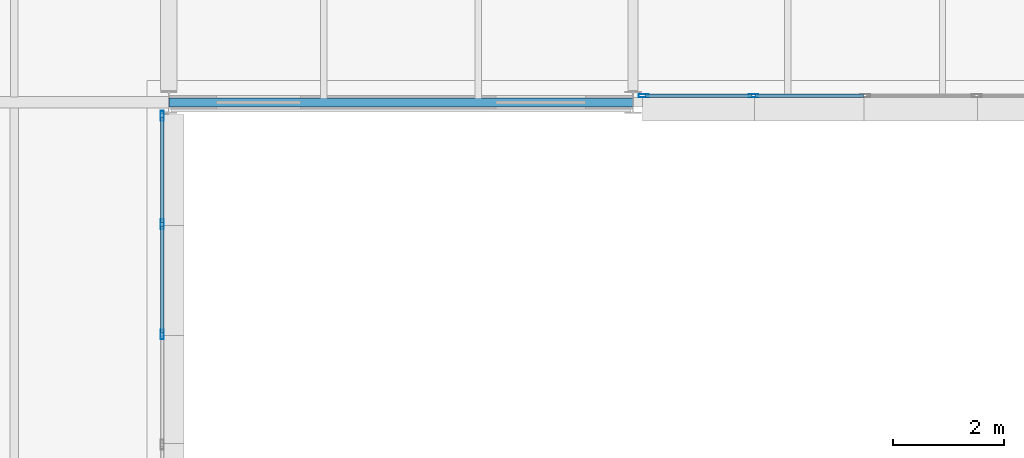
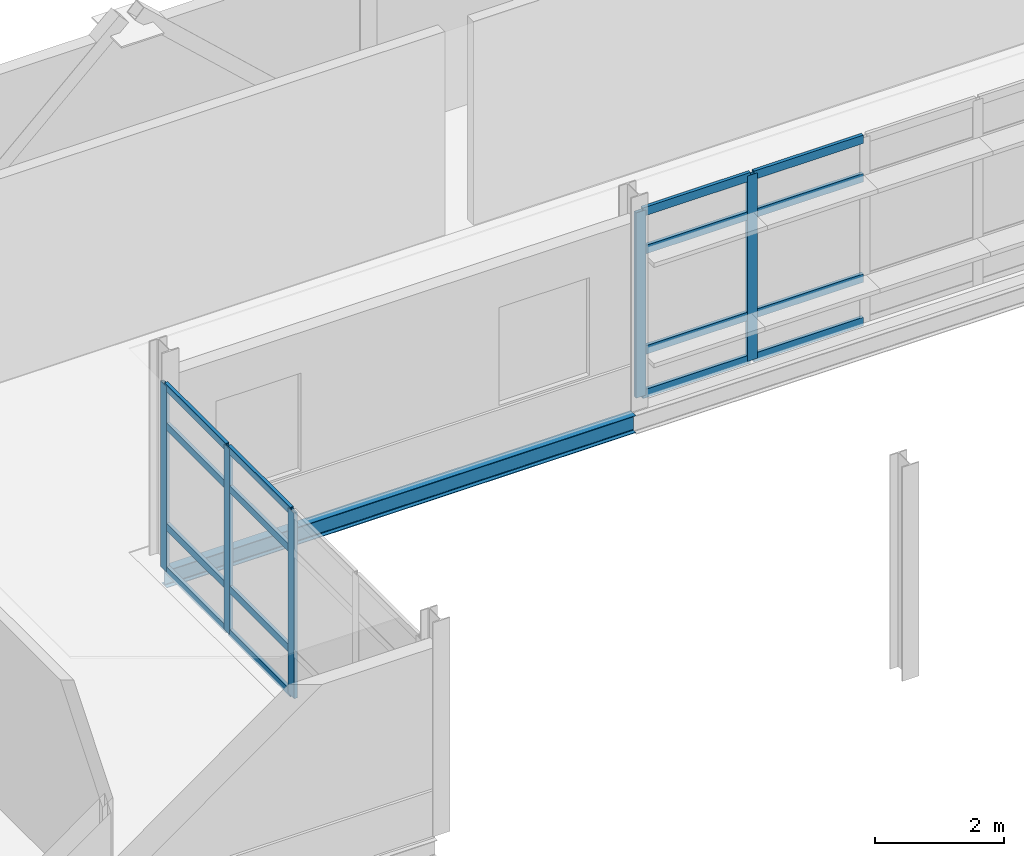
# One storey, part 26 of 103: 21 members, 1 beam, 2 elements without a shape of their own.
"""IFC4 building model written with IfcOpenShell, lengths in metres."""

from ifc_helpers import new_model, si_unit, direction, frame, origin, origin_2d, place, context, subcontext, project, spatial, hollow_rectangle, i_section, extrude, material, material_profile, profile_set, type_object, element, aggregate, save


model = new_model("IFC4")

# Units and contexts
model_context = context("Model", 3, precision=1e-05, world=origin(), true_north=direction((0.0, 1.0)))
body_context = subcontext(model_context, "Body", "Model", "MODEL_VIEW")
ifc_project = project(units=[si_unit("LENGTHUNIT", "METRE"), si_unit("AREAUNIT", "SQUARE_METRE"), si_unit("VOLUMEUNIT", "CUBIC_METRE"), si_unit("PLANEANGLEUNIT", "RADIAN"), si_unit("MASSUNIT", "GRAM", prefix="KILO")], contexts=[model_context])

# Site, building, storey
site_placement = place(None, origin())
site = spatial("IfcSite", under=ifc_project, at=site_placement, CompositionType="ELEMENT")
building_placement = place(site_placement, origin())
building = spatial("IfcBuilding", under=site, at=building_placement, Name="Mersafa Astral City Hall", CompositionType="ELEMENT")
storey_placement = place(building_placement, frame((0.0, 0.0, 18.0)))
storey = spatial("IfcBuildingStorey", under=building, at=storey_placement, Name="L04", CompositionType="ELEMENT", Elevation=18.0)

# Curtain wall, members
ifc_material_1 = material(Name="Anodised bronze aluminium framing", Category="aluminium")
curtain_wall_type_1 = type_object("IfcCurtainWallType", Name="ENV-CW-6", PredefinedType="USERDEFINED", material=ifc_material_1)
curtain_wall_1_placement = place(storey_placement, origin())
curtain_wall_1 = element("IfcCurtainWall", 1, at=curtain_wall_1_placement, inside=storey, type_object=curtain_wall_type_1, Name="L04 Unitised solar curtain wall 203", ObjectType="UNITISED CURTAIN WALL", PredefinedType="USERDEFINED")
ifc_material_profile_1 = material_profile(ifc_material_1, hollow_rectangle(XDim=0.06005859375, YDim=0.179931640625, WallThickness=0.00390625, at=origin_2d()), Name="RHS 60x180x4")
ifc_profile_set_1 = profile_set([ifc_material_profile_1], Name="Anodised bronze aluminium framing")
member_type_1 = type_object("IfcMemberType", Name="ENV-CW-MUL-1", PredefinedType="MULLION", material=ifc_profile_set_1)
member_1_placement = place(storey_placement, frame((58.679931640625, 113.39990234375, -0.001953125), z_axis=(0.0, 0.0, 1.0), x_axis=(-1.0, 0.0, 0.0)))
member_1 = element("IfcMember", 2, at=member_1_placement, type_object=member_type_1, Name="CW-6 mullion 3", PredefinedType="MULLION", context=body_context, shape_type="SweptSolid", body=[
    extrude(hollow_rectangle(XDim=0.06005859375, YDim=0.179931640625, WallThickness=0.00390625, at=origin_2d()), origin(), (0.0, 0.0, 1.0), 3.509033203125),
])
member_2_placement = place(storey_placement, frame((58.679931640625, 115.39404296875, -0.001953125), z_axis=(0.0, 0.0, 1.0), x_axis=(-1.0, 0.0, 0.0)))
member_2 = element("IfcMember", 3, at=member_2_placement, type_object=member_type_1, Name="CW-6 mullion 4", PredefinedType="MULLION", context=body_context, shape_type="SweptSolid", body=[
    extrude(hollow_rectangle(XDim=0.06005859375, YDim=0.179931640625, WallThickness=0.00390625, at=origin_2d()), origin(), (0.0, 0.0, 1.0), 3.509033203125),
])
member_3_placement = place(storey_placement, frame((58.679931640625, 117.35791015625, -0.001953125), z_axis=(0.0, 0.0, 1.0), x_axis=(-1.0, 0.0, 0.0)))
member_3 = element("IfcMember", 4, at=member_3_placement, type_object=member_type_1, Name="CW-6 mullion 5", PredefinedType="MULLION", context=body_context, shape_type="SweptSolid", body=[
    extrude(hollow_rectangle(XDim=0.06005859375, YDim=0.179931640625, WallThickness=0.00390625, at=origin_2d()), origin(), (0.0, 0.0, 1.0), 3.509033203125),
])

curtain_wall_type_2 = type_object("IfcCurtainWallType", Name="ENV-CW-1", PredefinedType="USERDEFINED", material=ifc_material_1)
curtain_wall_2_placement = place(storey_placement, origin())
curtain_wall_2 = element("IfcCurtainWall", 5, at=curtain_wall_2_placement, inside=storey, type_object=curtain_wall_type_2, Name="L04 Unitised solar curtain wall 204", ObjectType="UNITISED CURTAIN WALL", PredefinedType="USERDEFINED")
member_4_placement = place(storey_placement, frame((67.39208984375, 117.719970703125, -0.001953125), z_axis=(0.0, 0.0, 1.0), x_axis=(0.0, 1.0, 0.0)))
member_4 = element("IfcMember", 6, at=member_4_placement, type_object=member_type_1, Name="CW-1 mullion 1", PredefinedType="MULLION", context=body_context, shape_type="SweptSolid", body=[
    extrude(hollow_rectangle(XDim=0.06005859375, YDim=0.179931640625, WallThickness=0.00390625, at=origin_2d()), origin(), (0.0, 0.0, 1.0), 3.509033203125),
])
member_5_placement = place(storey_placement, frame((69.381103515625, 117.719970703125, -0.001953125), z_axis=(0.0, 0.0, 1.0), x_axis=(0.0, 1.0, 0.0)))
member_5 = element("IfcMember", 7, at=member_5_placement, type_object=member_type_1, Name="CW-1 mullion 2", PredefinedType="MULLION", context=body_context, shape_type="SweptSolid", body=[
    extrude(hollow_rectangle(XDim=0.06005859375, YDim=0.179931640625, WallThickness=0.00390625, at=origin_2d()), origin(), (0.0, 0.0, 1.0), 3.509033203125),
])

# Member
ifc_material_profile_2 = material_profile(ifc_material_1, hollow_rectangle(XDim=0.06005859375, YDim=0.139892578125, WallThickness=0.00390625, at=origin_2d()), Name="RHS 60x140x4")
ifc_profile_set_2 = profile_set([ifc_material_profile_2], Name="Anodised bronze aluminium framing")
member_type_2 = type_object("IfcMemberType", Name="ENV-CW-TRN-1", PredefinedType="USERDEFINED", material=ifc_profile_set_2)
member_6_placement = place(storey_placement, frame((58.679931640625, 113.429931640625, 0.028076171875), z_axis=(0.0, 1.0, 0.0), x_axis=(-1.0, 0.0, 0.0)))
member_6 = element("IfcMember", 8, at=member_6_placement, type_object=member_type_2, Name="CW-6 transom 3.1", ObjectType="TRANSOM", PredefinedType="USERDEFINED", context=body_context, shape_type="SweptSolid", body=[
    extrude(hollow_rectangle(XDim=0.06005859375, YDim=0.139892578125, WallThickness=0.00390625, at=origin_2d()), origin(), (0.0, 0.0, 1.0), 1.93408203125),
])

member_7_placement = place(storey_placement, frame((58.679931640625, 113.429931640625, 0.85009765625), z_axis=(0.0, 1.0, 0.0), x_axis=(-1.0, 0.0, 0.0)))
member_7 = element("IfcMember", 9, at=member_7_placement, type_object=member_type_2, Name="CW-6 transom 3.2", ObjectType="TRANSOM", PredefinedType="USERDEFINED", context=body_context, shape_type="SweptSolid", body=[
    extrude(hollow_rectangle(XDim=0.06005859375, YDim=0.139892578125, WallThickness=0.00390625, at=origin_2d()), origin(), (0.0, 0.0, 1.0), 1.93408203125),
])

member_8_placement = place(storey_placement, frame((58.679931640625, 113.429931640625, 2.75), z_axis=(0.0, 1.0, 0.0), x_axis=(-1.0, 0.0, 0.0)))
member_8 = element("IfcMember", 10, at=member_8_placement, type_object=member_type_2, Name="CW-6 transom 3.3", ObjectType="TRANSOM", PredefinedType="USERDEFINED", context=body_context, shape_type="SweptSolid", body=[
    extrude(hollow_rectangle(XDim=0.06005859375, YDim=0.139892578125, WallThickness=0.00390625, at=origin_2d()), origin(), (0.0, 0.0, 1.0), 1.93408203125),
])

member_9_placement = place(storey_placement, frame((58.679931640625, 113.429931640625, 3.47705078125), z_axis=(0.0, 1.0, 0.0), x_axis=(-1.0, 0.0, 0.0)))
member_9 = element("IfcMember", 11, at=member_9_placement, type_object=member_type_2, Name="CW-6 transom 3.4", ObjectType="TRANSOM", PredefinedType="USERDEFINED", context=body_context, shape_type="SweptSolid", body=[
    extrude(hollow_rectangle(XDim=0.06005859375, YDim=0.139892578125, WallThickness=0.00390625, at=origin_2d()), origin(), (0.0, 0.0, 1.0), 1.93408203125),
])

member_10_placement = place(storey_placement, frame((58.679931640625, 115.424072265625, 0.028076171875), z_axis=(0.0, 1.0, 0.0), x_axis=(-1.0, 0.0, 0.0)))
member_10 = element("IfcMember", 12, at=member_10_placement, type_object=member_type_2, Name="CW-6 transom 4.1", ObjectType="TRANSOM", PredefinedType="USERDEFINED", context=body_context, shape_type="SweptSolid", body=[
    extrude(hollow_rectangle(XDim=0.06005859375, YDim=0.139892578125, WallThickness=0.00390625, at=origin_2d()), origin(), (0.0, 0.0, 1.0), 1.90380859375),
])

member_11_placement = place(storey_placement, frame((58.679931640625, 115.424072265625, 0.85009765625), z_axis=(0.0, 1.0, 0.0), x_axis=(-1.0, 0.0, 0.0)))
member_11 = element("IfcMember", 13, at=member_11_placement, type_object=member_type_2, Name="CW-6 transom 4.2", ObjectType="TRANSOM", PredefinedType="USERDEFINED", context=body_context, shape_type="SweptSolid", body=[
    extrude(hollow_rectangle(XDim=0.06005859375, YDim=0.139892578125, WallThickness=0.00390625, at=origin_2d()), origin(), (0.0, 0.0, 1.0), 1.90380859375),
])

member_12_placement = place(storey_placement, frame((58.679931640625, 115.424072265625, 2.75), z_axis=(0.0, 1.0, 0.0), x_axis=(-1.0, 0.0, 0.0)))
member_12 = element("IfcMember", 14, at=member_12_placement, type_object=member_type_2, Name="CW-6 transom 4.3", ObjectType="TRANSOM", PredefinedType="USERDEFINED", context=body_context, shape_type="SweptSolid", body=[
    extrude(hollow_rectangle(XDim=0.06005859375, YDim=0.139892578125, WallThickness=0.00390625, at=origin_2d()), origin(), (0.0, 0.0, 1.0), 1.90380859375),
])

member_13_placement = place(storey_placement, frame((58.679931640625, 115.424072265625, 3.47705078125), z_axis=(0.0, 1.0, 0.0), x_axis=(-1.0, 0.0, 0.0)))
member_13 = element("IfcMember", 15, at=member_13_placement, type_object=member_type_2, Name="CW-6 transom 4.4", ObjectType="TRANSOM", PredefinedType="USERDEFINED", context=body_context, shape_type="SweptSolid", body=[
    extrude(hollow_rectangle(XDim=0.06005859375, YDim=0.139892578125, WallThickness=0.00390625, at=origin_2d()), origin(), (0.0, 0.0, 1.0), 1.90380859375),
])

aggregate(curtain_wall_1, [member_1, member_2, member_3, member_6, member_7, member_8, member_9, member_10, member_11, member_12, member_13])

ifc_material_profile_3 = material_profile(ifc_material_1, hollow_rectangle(XDim=0.06005859375, YDim=0.159912109375, WallThickness=0.00390625, at=origin_2d()), Name="RHS 60x160x4")
ifc_profile_set_3 = profile_set([ifc_material_profile_3], Name="Anodised bronze aluminium framing")
member_type_3 = type_object("IfcMemberType", Name="ENV-CW-TRN-2", PredefinedType="USERDEFINED", material=ifc_profile_set_3)
member_14_placement = place(storey_placement, frame((67.422119140625, 117.719970703125, 0.028076171875), z_axis=(1.0, 0.0, 0.0), x_axis=(0.0, 1.0, 0.0)))
member_14 = element("IfcMember", 16, at=member_14_placement, type_object=member_type_3, Name="CW-1 transom 1.1", ObjectType="TRANSOM", PredefinedType="USERDEFINED", context=body_context, shape_type="SweptSolid", body=[
    extrude(hollow_rectangle(XDim=0.06005859375, YDim=0.159912109375, WallThickness=0.00390625, at=origin_2d()), origin(), (0.0, 0.0, 1.0), 1.928955078125),
])

member_15_placement = place(storey_placement, frame((67.422119140625, 117.719970703125, 0.85009765625), z_axis=(1.0, 0.0, 0.0), x_axis=(0.0, 1.0, 0.0)))
member_15 = element("IfcMember", 17, at=member_15_placement, type_object=member_type_3, Name="CW-1 transom 1.2", ObjectType="TRANSOM", PredefinedType="USERDEFINED", context=body_context, shape_type="SweptSolid", body=[
    extrude(hollow_rectangle(XDim=0.06005859375, YDim=0.159912109375, WallThickness=0.00390625, at=origin_2d()), origin(), (0.0, 0.0, 1.0), 1.928955078125),
])

member_16_placement = place(storey_placement, frame((67.422119140625, 117.719970703125, 2.75), z_axis=(1.0, 0.0, 0.0), x_axis=(0.0, 1.0, 0.0)))
member_16 = element("IfcMember", 18, at=member_16_placement, type_object=member_type_3, Name="CW-1 transom 1.3", ObjectType="TRANSOM", PredefinedType="USERDEFINED", context=body_context, shape_type="SweptSolid", body=[
    extrude(hollow_rectangle(XDim=0.06005859375, YDim=0.159912109375, WallThickness=0.00390625, at=origin_2d()), origin(), (0.0, 0.0, 1.0), 1.928955078125),
])

member_17_placement = place(storey_placement, frame((67.422119140625, 117.719970703125, 3.47705078125), z_axis=(1.0, 0.0, 0.0), x_axis=(0.0, 1.0, 0.0)))
member_17 = element("IfcMember", 19, at=member_17_placement, type_object=member_type_3, Name="CW-1 transom 1.4", ObjectType="TRANSOM", PredefinedType="USERDEFINED", context=body_context, shape_type="SweptSolid", body=[
    extrude(hollow_rectangle(XDim=0.06005859375, YDim=0.159912109375, WallThickness=0.00390625, at=origin_2d()), origin(), (0.0, 0.0, 1.0), 1.928955078125),
])

member_18_placement = place(storey_placement, frame((69.410888671875, 117.719970703125, 0.028076171875), z_axis=(1.0, 0.0, 0.0), x_axis=(0.0, 1.0, 0.0)))
member_18 = element("IfcMember", 20, at=member_18_placement, type_object=member_type_3, Name="CW-1 transom 2.1", ObjectType="TRANSOM", PredefinedType="USERDEFINED", context=body_context, shape_type="SweptSolid", body=[
    extrude(hollow_rectangle(XDim=0.06005859375, YDim=0.159912109375, WallThickness=0.00390625, at=origin_2d()), origin(), (0.0, 0.0, 1.0), 1.959228515625),
])

member_19_placement = place(storey_placement, frame((69.410888671875, 117.719970703125, 0.85009765625), z_axis=(1.0, 0.0, 0.0), x_axis=(0.0, 1.0, 0.0)))
member_19 = element("IfcMember", 21, at=member_19_placement, type_object=member_type_3, Name="CW-1 transom 2.2", ObjectType="TRANSOM", PredefinedType="USERDEFINED", context=body_context, shape_type="SweptSolid", body=[
    extrude(hollow_rectangle(XDim=0.06005859375, YDim=0.159912109375, WallThickness=0.00390625, at=origin_2d()), origin(), (0.0, 0.0, 1.0), 1.959228515625),
])

member_20_placement = place(storey_placement, frame((69.410888671875, 117.719970703125, 2.75), z_axis=(1.0, 0.0, 0.0), x_axis=(0.0, 1.0, 0.0)))
member_20 = element("IfcMember", 22, at=member_20_placement, type_object=member_type_3, Name="CW-1 transom 2.3", ObjectType="TRANSOM", PredefinedType="USERDEFINED", context=body_context, shape_type="SweptSolid", body=[
    extrude(hollow_rectangle(XDim=0.06005859375, YDim=0.159912109375, WallThickness=0.00390625, at=origin_2d()), origin(), (0.0, 0.0, 1.0), 1.959228515625),
])

member_21_placement = place(storey_placement, frame((69.410888671875, 117.719970703125, 3.47705078125), z_axis=(1.0, 0.0, 0.0), x_axis=(0.0, 1.0, 0.0)))
member_21 = element("IfcMember", 23, at=member_21_placement, type_object=member_type_3, Name="CW-1 transom 2.4", ObjectType="TRANSOM", PredefinedType="USERDEFINED", context=body_context, shape_type="SweptSolid", body=[
    extrude(hollow_rectangle(XDim=0.06005859375, YDim=0.159912109375, WallThickness=0.00390625, at=origin_2d()), origin(), (0.0, 0.0, 1.0), 1.959228515625),
])

aggregate(curtain_wall_2, [member_4, member_5, member_14, member_15, member_16, member_17, member_18, member_19, member_20, member_21])

# Beam
ifc_material_2 = material(Name="Steel S355", Category="steel")
ifc_material_profile_4 = material_profile(ifc_material_2, i_section(OverallWidth=0.159912109375, OverallDepth=0.330078125, WebThickness=0.007568359375, FlangeThickness=0.011474609375, FilletRadius=0.01806640625, at=origin_2d()), Name="IPE 330")
ifc_profile_set_4 = profile_set([ifc_material_profile_4], Name="Steel S355")
beam_type = type_object("IfcBeamType", Name="STR-BM-SPANDREL-IPE330", PredefinedType="SPANDREL", material=ifc_profile_set_4)
beam_placement = place(storey_placement, frame((58.802978515625, 117.60009765625, -0.35009765625), z_axis=(1.0, 0.0, 0.0), x_axis=(0.0, 1.0, 0.0)))
element("IfcBeam", 24, at=beam_placement, inside=storey, type_object=beam_type, Name="L04 Primary girder X 7-14", PredefinedType="SPANDREL", context=body_context, shape_type="SweptSolid", body=[
    extrude(i_section(OverallWidth=0.159912109375, OverallDepth=0.330078125, WebThickness=0.007568359375, FlangeThickness=0.011474609375, FilletRadius=0.01806640625, at=origin_2d()), origin(), (0.0, 0.0, 1.0), 8.39404296875),
])

save(model, "model.ifc")
